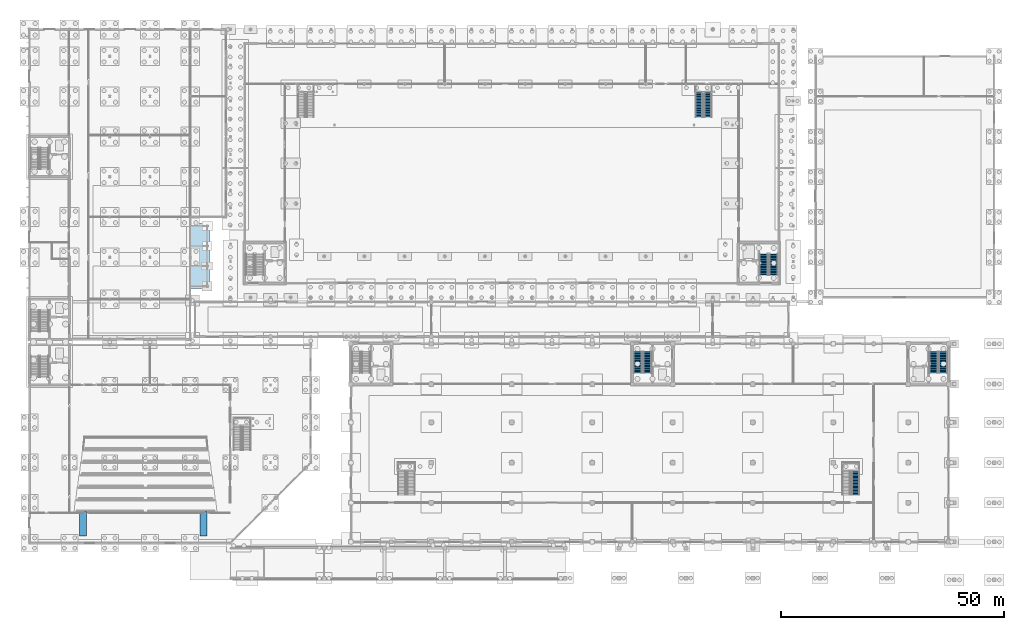
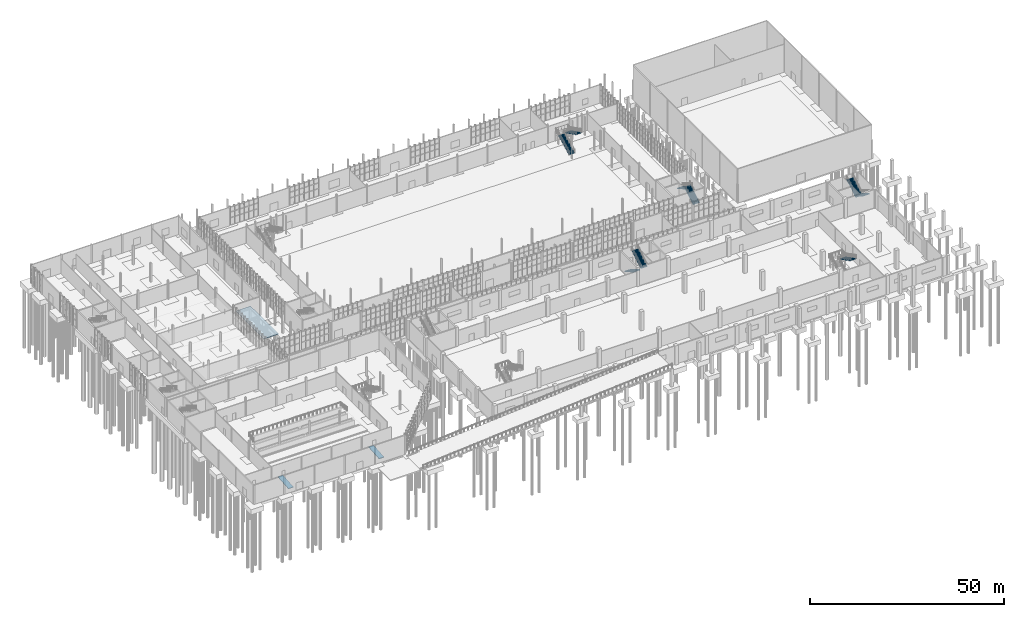
# One storey, part 109 of 131: 9 stair flights, 2 ramp flights, 1 roof, 7 elements without a shape of their own.
"""IFC4 building model written with IfcOpenShell, lengths in metres."""

from ifc_helpers import new_model, si_unit, direction, frame, origin, place, context, subcontext, project, spatial, polyline, outline, extrude, material, type_object, element, aggregate, save


model = new_model("IFC4")

# Units and contexts
model_context = context("Model", 3, precision=1e-05, world=origin(), true_north=direction((0.0, 1.0)))
body_context = subcontext(model_context, "Body", "Model", "MODEL_VIEW")
ifc_project = project(units=[si_unit("LENGTHUNIT", "METRE"), si_unit("AREAUNIT", "SQUARE_METRE"), si_unit("VOLUMEUNIT", "CUBIC_METRE"), si_unit("PLANEANGLEUNIT", "RADIAN"), si_unit("MASSUNIT", "GRAM", prefix="KILO")], contexts=[model_context])

# Site, building, storey
site_placement = place(None, origin())
site = spatial("IfcSite", under=ifc_project, at=site_placement, CompositionType="ELEMENT")
building_placement = place(site_placement, origin())
building = spatial("IfcBuilding", under=site, at=building_placement, Name="Cazmaro Siding Exhibition Halls", CompositionType="ELEMENT")
storey_placement = place(building_placement, origin())
storey = spatial("IfcBuildingStorey", under=building, at=storey_placement, Name="L00", CompositionType="ELEMENT", Elevation=0.0)

# Stair, stair flights
ifc_material_1 = material(Name="Concrete f'c 40 MPa", Category="concrete")
stair_type_1 = type_object("IfcStairType", Name="STT-03", PredefinedType="TWO_STRAIGHT_RUN_STAIR", material=ifc_material_1)
stair_1_placement = place(storey_placement, origin())
stair_1 = element("IfcStair", 1, at=stair_1_placement, inside=storey, type_object=stair_type_1, Name="Core C2 Exit Stair L00-L01 ST-03", PredefinedType="TWO_STRAIGHT_RUN_STAIR")
ifc_material_2 = material(Name="Concrete f'c 40 MPa", Category="concrete")
stair_flight_type_1 = type_object("IfcStairFlightType", Name="STF-03", PredefinedType="STRAIGHT", material=ifc_material_2)
stair_flight_1_placement = place(storey_placement, frame((166.610107421875, 68.9599609375, 0.0), z_axis=(0.0, 0.0, 1.0), x_axis=(0.0, 1.0, 0.0)))
stair_flight_1 = element("IfcStairFlight", 2, at=stair_flight_1_placement, type_object=stair_flight_type_1, Name="ST-03 flight 1", NumberOfRisers=18, NumberOfTreads=17, PredefinedType="STRAIGHT", RiserHeight=0.16667, TreadLength=0.28, context=body_context, shape_type="SweptSolid", body=[
    extrude(outline(polyline([(0.0, 0.0), (0.0, 0.166748046875), (0.280029296875, 0.166748046875), (0.280029296875, 0.333251953125), (0.56005859375, 0.333251953125), (0.56005859375, 0.5), (0.840087890625, 0.5), (0.840087890625, 0.666748046875), (1.1201171875, 0.666748046875), (1.1201171875, 0.833251953125), (1.39990234375, 0.833251953125), (1.39990234375, 1.0), (1.679931640625, 1.0), (1.679931640625, 1.166748046875), (1.9599609375, 1.166748046875), (1.9599609375, 1.333251953125), (2.239990234375, 1.333251953125), (2.239990234375, 1.5), (2.52001953125, 1.5), (2.52001953125, 1.666748046875), (2.800048828125, 1.666748046875), (2.800048828125, 1.833251953125), (3.080078125, 1.833251953125), (3.080078125, 2.0), (3.360107421875, 2.0), (3.360107421875, 2.166748046875), (3.639892578125, 2.166748046875), (3.639892578125, 2.33349609375), (3.919921875, 2.33349609375), (3.919921875, 2.5), (4.199951171875, 2.5), (4.199951171875, 2.666748046875), (4.47998046875, 2.666748046875), (4.47998046875, 2.83349609375), (4.760009765625, 2.83349609375), (4.760009765625, 3.0), (4.760009765625, 2.647216796875), (0.312744140625, 0.0), (0.0, 0.0)])), frame((0.0, 0.96484375, 0.0), z_axis=(0.0, -1.0, 0.0), x_axis=(1.0, 0.0, 0.0)), (0.0, 0.0, 1.0), 1.929931640625),
])
stair_flight_2_placement = place(storey_placement, frame((164.43505859375, 73.719970703125, 3.0), z_axis=(0.0, 0.0, 1.0), x_axis=(0.0, -1.0, 0.0)))
stair_flight_2 = element("IfcStairFlight", 3, at=stair_flight_2_placement, type_object=stair_flight_type_1, Name="ST-03 flight 2", NumberOfRisers=18, NumberOfTreads=17, PredefinedType="STRAIGHT", RiserHeight=0.16667, TreadLength=0.28, context=body_context, shape_type="SweptSolid", body=[
    extrude(outline(polyline([(0.0, 0.0), (0.0, 0.166748046875), (0.280029296875, 0.166748046875), (0.280029296875, 0.333251953125), (0.56005859375, 0.333251953125), (0.56005859375, 0.5), (0.840087890625, 0.5), (0.840087890625, 0.666748046875), (1.1201171875, 0.666748046875), (1.1201171875, 0.833251953125), (1.39990234375, 0.833251953125), (1.39990234375, 1.0), (1.679931640625, 1.0), (1.679931640625, 1.166748046875), (1.9599609375, 1.166748046875), (1.9599609375, 1.333251953125), (2.239990234375, 1.333251953125), (2.239990234375, 1.5), (2.52001953125, 1.5), (2.52001953125, 1.666748046875), (2.800048828125, 1.666748046875), (2.800048828125, 1.833251953125), (3.080078125, 1.833251953125), (3.080078125, 2.0), (3.360107421875, 2.0), (3.360107421875, 2.166748046875), (3.639892578125, 2.166748046875), (3.639892578125, 2.33349609375), (3.919921875, 2.33349609375), (3.919921875, 2.5), (4.199951171875, 2.5), (4.199951171875, 2.666748046875), (4.47998046875, 2.666748046875), (4.47998046875, 2.83349609375), (4.760009765625, 2.83349609375), (4.760009765625, 3.0), (4.760009765625, 2.647216796875), (0.312744140625, 0.0), (0.0, 0.0)])), frame((0.0, 0.96484375, 0.0), z_axis=(0.0, -1.0, 0.0), x_axis=(1.0, 0.0, 0.0)), (0.0, 0.0, 1.0), 1.929931640625),
])
aggregate(stair_1, [stair_flight_1, stair_flight_2])

ifc_material_3 = material(Name="Concrete f'c 40 MPa", Category="concrete")
stair_type_2 = type_object("IfcStairType", Name="STT-07", PredefinedType="TWO_STRAIGHT_RUN_STAIR", material=ifc_material_3)
stair_2_placement = place(storey_placement, origin())
stair_2 = element("IfcStair", 4, at=stair_2_placement, inside=storey, type_object=stair_type_2, Name="Core C4 Exit Stair L00-L01 ST-07", PredefinedType="TWO_STRAIGHT_RUN_STAIR")
ifc_material_4 = material(Name="Concrete f'c 40 MPa", Category="concrete")
stair_flight_type_2 = type_object("IfcStairFlightType", Name="STF-07", PredefinedType="STRAIGHT", material=ifc_material_4)
stair_flight_3_placement = place(storey_placement, frame((136.179931640625, 51.840087890625, 0.0), z_axis=(0.0, 0.0, 1.0), x_axis=(0.0, -1.0, 0.0)))
stair_flight_3 = element("IfcStairFlight", 5, at=stair_flight_3_placement, type_object=stair_flight_type_2, Name="ST-07 flight 1", NumberOfRisers=18, NumberOfTreads=17, PredefinedType="STRAIGHT", RiserHeight=0.16667, TreadLength=0.28, context=body_context, shape_type="SweptSolid", body=[
    extrude(outline(polyline([(0.0, 0.0), (0.0, 0.166748046875), (0.280029296875, 0.166748046875), (0.280029296875, 0.333251953125), (0.56005859375, 0.333251953125), (0.56005859375, 0.5), (0.840087890625, 0.5), (0.840087890625, 0.666748046875), (1.1201171875, 0.666748046875), (1.1201171875, 0.833251953125), (1.39990234375, 0.833251953125), (1.39990234375, 1.0), (1.679931640625, 1.0), (1.679931640625, 1.166748046875), (1.9599609375, 1.166748046875), (1.9599609375, 1.333251953125), (2.239990234375, 1.333251953125), (2.239990234375, 1.5), (2.52001953125, 1.5), (2.52001953125, 1.666748046875), (2.800048828125, 1.666748046875), (2.800048828125, 1.833251953125), (3.080078125, 1.833251953125), (3.080078125, 2.0), (3.360107421875, 2.0), (3.360107421875, 2.166748046875), (3.639892578125, 2.166748046875), (3.639892578125, 2.33349609375), (3.919921875, 2.33349609375), (3.919921875, 2.5), (4.199951171875, 2.5), (4.199951171875, 2.666748046875), (4.47998046875, 2.666748046875), (4.47998046875, 2.83349609375), (4.760009765625, 2.83349609375), (4.760009765625, 3.0), (4.760009765625, 2.647216796875), (0.312744140625, 0.0), (0.0, 0.0)])), frame((0.0, 0.955078125, 0.0), z_axis=(0.0, -1.0, 0.0), x_axis=(1.0, 0.0, 0.0)), (0.0, 0.0, 1.0), 1.909912109375),
])
stair_flight_4_placement = place(storey_placement, frame((138.375, 47.080078125, 3.0), z_axis=(0.0, 0.0, 1.0), x_axis=(0.0, 1.0, 0.0)))
stair_flight_4 = element("IfcStairFlight", 6, at=stair_flight_4_placement, type_object=stair_flight_type_2, Name="ST-07 flight 2", NumberOfRisers=18, NumberOfTreads=17, PredefinedType="STRAIGHT", RiserHeight=0.16667, TreadLength=0.28, context=body_context, shape_type="SweptSolid", body=[
    extrude(outline(polyline([(0.0, 0.0), (0.0, 0.166748046875), (0.280029296875, 0.166748046875), (0.280029296875, 0.333251953125), (0.56005859375, 0.333251953125), (0.56005859375, 0.5), (0.840087890625, 0.5), (0.840087890625, 0.666748046875), (1.1201171875, 0.666748046875), (1.1201171875, 0.833251953125), (1.39990234375, 0.833251953125), (1.39990234375, 1.0), (1.679931640625, 1.0), (1.679931640625, 1.166748046875), (1.9599609375, 1.166748046875), (1.9599609375, 1.333251953125), (2.239990234375, 1.333251953125), (2.239990234375, 1.5), (2.52001953125, 1.5), (2.52001953125, 1.666748046875), (2.800048828125, 1.666748046875), (2.800048828125, 1.833251953125), (3.080078125, 1.833251953125), (3.080078125, 2.0), (3.360107421875, 2.0), (3.360107421875, 2.166748046875), (3.639892578125, 2.166748046875), (3.639892578125, 2.33349609375), (3.919921875, 2.33349609375), (3.919921875, 2.5), (4.199951171875, 2.5), (4.199951171875, 2.666748046875), (4.47998046875, 2.666748046875), (4.47998046875, 2.83349609375), (4.760009765625, 2.83349609375), (4.760009765625, 3.0), (4.760009765625, 2.647216796875), (0.312744140625, 0.0), (0.0, 0.0)])), frame((0.0, 0.955078125, 0.0), z_axis=(0.0, -1.0, 0.0), x_axis=(1.0, 0.0, 0.0)), (0.0, 0.0, 1.0), 1.909912109375),
])
aggregate(stair_2, [stair_flight_3, stair_flight_4])

ifc_material_5 = material(Name="Concrete f'c 40 MPa", Category="concrete")
stair_type_3 = type_object("IfcStairType", Name="STT-09", PredefinedType="TWO_STRAIGHT_RUN_STAIR", material=ifc_material_5)
stair_3_placement = place(storey_placement, origin())
stair_3 = element("IfcStair", 7, at=stair_3_placement, inside=storey, type_object=stair_type_3, Name="Core C5 Exit Stair L00-L01 ST-09", PredefinedType="TWO_STRAIGHT_RUN_STAIR")
ifc_material_6 = material(Name="Concrete f'c 40 MPa", Category="concrete")
stair_flight_type_3 = type_object("IfcStairFlightType", Name="STF-09", PredefinedType="STRAIGHT", material=ifc_material_6)
stair_flight_5_placement = place(storey_placement, frame((204.60498046875, 51.840087890625, 0.0), z_axis=(0.0, 0.0, 1.0), x_axis=(0.0, -1.0, 0.0)))
stair_flight_5 = element("IfcStairFlight", 8, at=stair_flight_5_placement, type_object=stair_flight_type_3, Name="ST-09 flight 1", NumberOfRisers=18, NumberOfTreads=17, PredefinedType="STRAIGHT", RiserHeight=0.16667, TreadLength=0.28, context=body_context, shape_type="SweptSolid", body=[
    extrude(outline(polyline([(0.0, 0.0), (0.0, 0.166748046875), (0.280029296875, 0.166748046875), (0.280029296875, 0.333251953125), (0.56005859375, 0.333251953125), (0.56005859375, 0.5), (0.840087890625, 0.5), (0.840087890625, 0.666748046875), (1.1201171875, 0.666748046875), (1.1201171875, 0.833251953125), (1.39990234375, 0.833251953125), (1.39990234375, 1.0), (1.679931640625, 1.0), (1.679931640625, 1.166748046875), (1.9599609375, 1.166748046875), (1.9599609375, 1.333251953125), (2.239990234375, 1.333251953125), (2.239990234375, 1.5), (2.52001953125, 1.5), (2.52001953125, 1.666748046875), (2.800048828125, 1.666748046875), (2.800048828125, 1.833251953125), (3.080078125, 1.833251953125), (3.080078125, 2.0), (3.360107421875, 2.0), (3.360107421875, 2.166748046875), (3.639892578125, 2.166748046875), (3.639892578125, 2.33349609375), (3.919921875, 2.33349609375), (3.919921875, 2.5), (4.199951171875, 2.5), (4.199951171875, 2.666748046875), (4.47998046875, 2.666748046875), (4.47998046875, 2.83349609375), (4.760009765625, 2.83349609375), (4.760009765625, 3.0), (4.760009765625, 2.647216796875), (0.312744140625, 0.0), (0.0, 0.0)])), frame((0.0, 0.969970703125, 0.0), z_axis=(0.0, -1.0, 0.0), x_axis=(1.0, 0.0, 0.0)), (0.0, 0.0, 1.0), 1.93994140625),
])
stair_flight_6_placement = place(storey_placement, frame((202.43994140625, 47.080078125, 3.0), z_axis=(0.0, 0.0, 1.0), x_axis=(0.0, 1.0, 0.0)))
stair_flight_6 = element("IfcStairFlight", 9, at=stair_flight_6_placement, type_object=stair_flight_type_3, Name="ST-09 flight 2", NumberOfRisers=18, NumberOfTreads=17, PredefinedType="STRAIGHT", RiserHeight=0.16667, TreadLength=0.28, context=body_context, shape_type="SweptSolid", body=[
    extrude(outline(polyline([(0.0, 0.0), (0.0, 0.166748046875), (0.280029296875, 0.166748046875), (0.280029296875, 0.333251953125), (0.56005859375, 0.333251953125), (0.56005859375, 0.5), (0.840087890625, 0.5), (0.840087890625, 0.666748046875), (1.1201171875, 0.666748046875), (1.1201171875, 0.833251953125), (1.39990234375, 0.833251953125), (1.39990234375, 1.0), (1.679931640625, 1.0), (1.679931640625, 1.166748046875), (1.9599609375, 1.166748046875), (1.9599609375, 1.333251953125), (2.239990234375, 1.333251953125), (2.239990234375, 1.5), (2.52001953125, 1.5), (2.52001953125, 1.666748046875), (2.800048828125, 1.666748046875), (2.800048828125, 1.833251953125), (3.080078125, 1.833251953125), (3.080078125, 2.0), (3.360107421875, 2.0), (3.360107421875, 2.166748046875), (3.639892578125, 2.166748046875), (3.639892578125, 2.33349609375), (3.919921875, 2.33349609375), (3.919921875, 2.5), (4.199951171875, 2.5), (4.199951171875, 2.666748046875), (4.47998046875, 2.666748046875), (4.47998046875, 2.83349609375), (4.760009765625, 2.83349609375), (4.760009765625, 3.0), (4.760009765625, 2.647216796875), (0.312744140625, 0.0), (0.0, 0.0)])), frame((0.0, 0.969970703125, 0.0), z_axis=(0.0, -1.0, 0.0), x_axis=(1.0, 0.0, 0.0)), (0.0, 0.0, 1.0), 1.93994140625),
])
aggregate(stair_3, [stair_flight_5, stair_flight_6])

ifc_material_7 = material(Name="Steel ASTM A992 Grade 50 Stringers with Precast Treads", Category="concrete")
stair_type_4 = type_object("IfcStairType", Name="STT-24", PredefinedType="TWO_STRAIGHT_RUN_STAIR", material=ifc_material_7)
stair_4_placement = place(storey_placement, origin())
stair_4 = element("IfcStair", 10, at=stair_4_placement, inside=storey, type_object=stair_type_4, Name="Hall A East Feature Gallery Stair L00-L01 ST-24", PredefinedType="TWO_STRAIGHT_RUN_STAIR")
ifc_material_8 = material(Name="Precast Concrete Treads f'c 40 MPa on Steel Stringers", Category="concrete")
stair_flight_type_4 = type_object("IfcStairFlightType", Name="STF-24", PredefinedType="STRAIGHT", material=ifc_material_8)
stair_flight_7_placement = place(storey_placement, frame((149.93994140625, 104.3798828125, 0.0), z_axis=(0.0, 0.0, 1.0), x_axis=(0.0, 1.0, 0.0)))
stair_flight_7 = element("IfcStairFlight", 11, at=stair_flight_7_placement, type_object=stair_flight_type_4, Name="ST-24 flight 1", NumberOfRisers=18, NumberOfTreads=17, PredefinedType="STRAIGHT", RiserHeight=0.16667, TreadLength=0.325, context=body_context, shape_type="SweptSolid", body=[
    extrude(outline(polyline([(0.0, 0.0), (0.0, 0.166748046875), (0.324951171875, 0.166748046875), (0.324951171875, 0.333251953125), (0.64990234375, 0.333251953125), (0.64990234375, 0.5), (0.97509765625, 0.5), (0.97509765625, 0.666748046875), (1.300048828125, 0.666748046875), (1.300048828125, 0.833251953125), (1.625, 0.833251953125), (1.625, 1.0), (1.949951171875, 1.0), (1.949951171875, 1.166748046875), (2.27490234375, 1.166748046875), (2.27490234375, 1.333251953125), (2.60009765625, 1.333251953125), (2.60009765625, 1.5), (2.925048828125, 1.5), (2.925048828125, 1.666748046875), (3.25, 1.666748046875), (3.25, 1.833251953125), (3.574951171875, 1.833251953125), (3.574951171875, 2.0), (3.89990234375, 2.0), (3.89990234375, 2.166748046875), (4.22509765625, 2.166748046875), (4.22509765625, 2.33349609375), (4.550048828125, 2.33349609375), (4.550048828125, 2.5), (4.875, 2.5), (4.875, 2.666748046875), (5.199951171875, 2.666748046875), (5.199951171875, 2.83349609375), (5.52490234375, 2.83349609375), (5.52490234375, 3.0), (5.52490234375, 2.653564453125), (0.350341796875, 0.0), (0.0, 0.0)])), frame((0.0, 0.8349609375, 0.0), z_axis=(0.0, -1.0, 0.0), x_axis=(1.0, 0.0, 0.0)), (0.0, 0.0, 1.0), 1.669921875),
])
stair_flight_8_placement = place(storey_placement, frame((151.93994140625, 109.905029296875, 3.0), z_axis=(0.0, 0.0, 1.0), x_axis=(0.0, -1.0, 0.0)))
stair_flight_8 = element("IfcStairFlight", 12, at=stair_flight_8_placement, type_object=stair_flight_type_4, Name="ST-24 flight 2", NumberOfRisers=18, NumberOfTreads=17, PredefinedType="STRAIGHT", RiserHeight=0.16667, TreadLength=0.325, context=body_context, shape_type="SweptSolid", body=[
    extrude(outline(polyline([(0.0, 0.0), (0.0, 0.166748046875), (0.324951171875, 0.166748046875), (0.324951171875, 0.333251953125), (0.64990234375, 0.333251953125), (0.64990234375, 0.5), (0.97509765625, 0.5), (0.97509765625, 0.666748046875), (1.300048828125, 0.666748046875), (1.300048828125, 0.833251953125), (1.625, 0.833251953125), (1.625, 1.0), (1.949951171875, 1.0), (1.949951171875, 1.166748046875), (2.27490234375, 1.166748046875), (2.27490234375, 1.333251953125), (2.60009765625, 1.333251953125), (2.60009765625, 1.5), (2.925048828125, 1.5), (2.925048828125, 1.666748046875), (3.25, 1.666748046875), (3.25, 1.833251953125), (3.574951171875, 1.833251953125), (3.574951171875, 2.0), (3.89990234375, 2.0), (3.89990234375, 2.166748046875), (4.22509765625, 2.166748046875), (4.22509765625, 2.33349609375), (4.550048828125, 2.33349609375), (4.550048828125, 2.5), (4.875, 2.5), (4.875, 2.666748046875), (5.199951171875, 2.666748046875), (5.199951171875, 2.83349609375), (5.52490234375, 2.83349609375), (5.52490234375, 3.0), (5.52490234375, 2.653564453125), (0.350341796875, 0.0), (0.0, 0.0)])), frame((0.0, 0.8349609375, 0.0), z_axis=(0.0, -1.0, 0.0), x_axis=(1.0, 0.0, 0.0)), (0.0, 0.0, 1.0), 1.669921875),
])
aggregate(stair_4, [stair_flight_7, stair_flight_8])

# Stair, stair flight
ifc_material_9 = material(Name="Steel ASTM A992 Grade 50 Stringers with Precast Treads", Category="concrete")
stair_type_5 = type_object("IfcStairType", Name="STT-29", PredefinedType="TWO_STRAIGHT_RUN_STAIR", material=ifc_material_9)
stair_5_placement = place(storey_placement, origin())
stair_5 = element("IfcStair", 13, at=stair_5_placement, inside=storey, type_object=stair_type_5, Name="Hall B1 East Mezzanine Feature Stair ST-29", PredefinedType="TWO_STRAIGHT_RUN_STAIR")
ifc_material_10 = material(Name="Precast Concrete Treads f'c 40 MPa on Steel Stringers", Category="concrete")
stair_flight_type_5 = type_object("IfcStairFlightType", Name="STF-29", PredefinedType="STRAIGHT", material=ifc_material_10)
stair_flight_9_placement = place(storey_placement, frame((184.969970703125, 25.219970703125, 3.0), z_axis=(0.0, 0.0, 1.0), x_axis=(0.0, -1.0, 0.0)))
stair_flight_9 = element("IfcStairFlight", 14, at=stair_flight_9_placement, type_object=stair_flight_type_5, Name="ST-29 flight 2", NumberOfRisers=18, NumberOfTreads=17, PredefinedType="STRAIGHT", RiserHeight=0.16667, TreadLength=0.32, context=body_context, shape_type="SweptSolid", body=[
    extrude(outline(polyline([(0.0, 0.0), (0.0, 0.166748046875), (0.320068359375, 0.166748046875), (0.320068359375, 0.333251953125), (0.639892578125, 0.333251953125), (0.639892578125, 0.5), (0.9599609375, 0.5), (0.9599609375, 0.666748046875), (1.280029296875, 0.666748046875), (1.280029296875, 0.833251953125), (1.60009765625, 0.833251953125), (1.60009765625, 1.0), (1.919921875, 1.0), (1.919921875, 1.166748046875), (2.239990234375, 1.166748046875), (2.239990234375, 1.333251953125), (2.56005859375, 1.333251953125), (2.56005859375, 1.5), (2.8798828125, 1.5), (2.8798828125, 1.666748046875), (3.199951171875, 1.666748046875), (3.199951171875, 1.833251953125), (3.52001953125, 1.833251953125), (3.52001953125, 2.0), (3.840087890625, 2.0), (3.840087890625, 2.166748046875), (4.159912109375, 2.166748046875), (4.159912109375, 2.33349609375), (4.47998046875, 2.33349609375), (4.47998046875, 2.5), (4.800048828125, 2.5), (4.800048828125, 2.666748046875), (5.1201171875, 2.666748046875), (5.1201171875, 2.83349609375), (5.43994140625, 2.83349609375), (5.43994140625, 3.0), (5.43994140625, 2.653076171875), (0.34619140625, 0.0), (0.0, 0.0)])), frame((0.0, 0.875, 0.0), z_axis=(0.0, -1.0, 0.0), x_axis=(1.0, 0.0, 0.0)), (0.0, 0.0, 1.0), 1.75),
])
aggregate(stair_5, [stair_flight_9])

# Ramp, ramp flight
ifc_material_11 = material(Name="Concrete f'c 35 MPa", Category="concrete")
ramp_type = type_object("IfcRampType", Name="RMP-PED-01", PredefinedType="STRAIGHT_RUN_RAMP", material=ifc_material_11)
ramp_1_placement = place(storey_placement, origin())
ramp_1 = element("IfcRamp", 15, at=ramp_1_placement, inside=storey, type_object=ramp_type, Name="Accessible Pedestrian Stage Ramp AR-01", PredefinedType="STRAIGHT_RUN_RAMP")
ifc_material_12 = material(Name="Concrete f'c 35 MPa", Category="concrete")
ramp_flight_type = type_object("IfcRampFlightType", Name="RMPF-PED-01", PredefinedType="STRAIGHT", material=ifc_material_12)
ramp_flight_1_placement = place(storey_placement, frame((12.0, 10.60009765625, 0.0), z_axis=(0.0, 0.0, 1.0), x_axis=(0.0, 1.0, 0.0)))
ramp_flight_1 = element("IfcRampFlight", 16, at=ramp_flight_1_placement, type_object=ramp_flight_type, Name="Accessible Pedestrian Stage Ramp AR-01 Flight 1", PredefinedType="STRAIGHT", context=body_context, shape_type="SweptSolid", body=[
    extrude(outline(polyline([(0.0, -0.179931640625), (5.449951171875, 0.27001953125), (5.449951171875, 0.449951171875), (0.0, 0.0), (0.0, -0.179931640625)])), frame((0.0, 0.75, 0.0), z_axis=(0.0, -1.0, 0.0), x_axis=(1.0, 0.0, 0.0)), (0.0, 0.0, 1.0), 1.5),
])
aggregate(ramp_1, [ramp_flight_1])

ramp_2_placement = place(storey_placement, origin())
ramp_2 = element("IfcRamp", 17, at=ramp_2_placement, inside=storey, type_object=ramp_type, Name="Accessible Pedestrian Stage Ramp AR-02", PredefinedType="STRAIGHT_RUN_RAMP")
ramp_flight_2_placement = place(storey_placement, frame((39.0, 10.60009765625, 0.0), z_axis=(0.0, 0.0, 1.0), x_axis=(0.0, 1.0, 0.0)))
ramp_flight_2 = element("IfcRampFlight", 18, at=ramp_flight_2_placement, type_object=ramp_flight_type, Name="Accessible Pedestrian Stage Ramp AR-02 Flight 1", PredefinedType="STRAIGHT", context=body_context, shape_type="SweptSolid", body=[
    extrude(outline(polyline([(0.0, -0.179931640625), (5.449951171875, 0.27001953125), (5.449951171875, 0.449951171875), (0.0, 0.0), (0.0, -0.179931640625)])), frame((0.0, 0.75, 0.0), z_axis=(0.0, -1.0, 0.0), x_axis=(1.0, 0.0, 0.0)), (0.0, 0.0, 1.0), 1.5),
])
aggregate(ramp_2, [ramp_flight_2])

# Roof
ifc_material_13 = material(Name="Anodized Bronze Insulated Entrance Canopy Roof", Category="steel")
roof_type = type_object("IfcRoofType", Name="RF-CANOPY-01", PredefinedType="FLAT_ROOF", material=ifc_material_13)
roof_placement = place(storey_placement, frame((0.0, 0.0, 4.820068359375)))
element("IfcRoof", 19, at=roof_placement, inside=storey, type_object=roof_type, Name="West Forecourt Arrival Canopy Roof RF-CN1", PredefinedType="FLAT_ROOF", context=body_context, shape_type="SweptSolid", body=[
    extrude(outline(polyline([(36.0, 66.0), (40.300048828125, 66.0), (40.300048828125, 80.5), (36.0, 80.5), (36.0, 66.0)])), origin(), (0.0, 0.0, 1.0), 0.159912109375),
])

save(model, "model.ifc")
